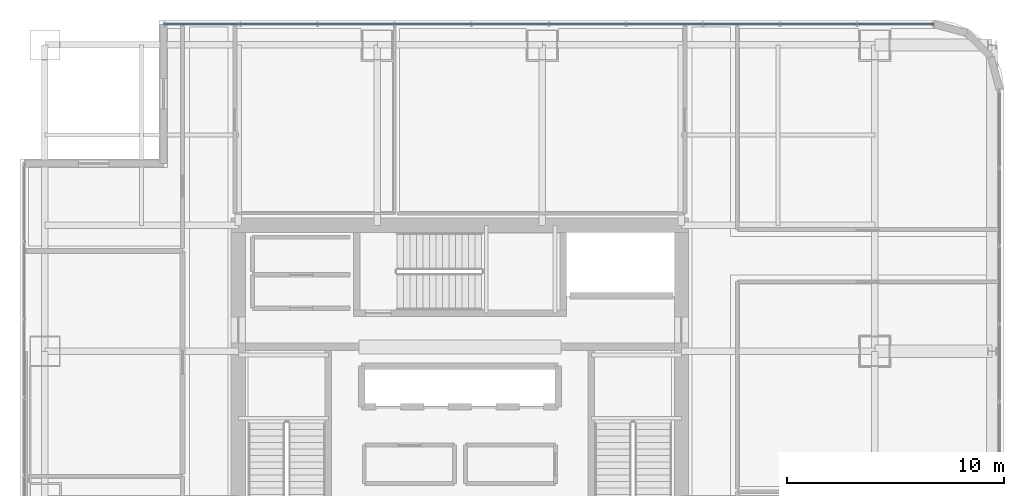
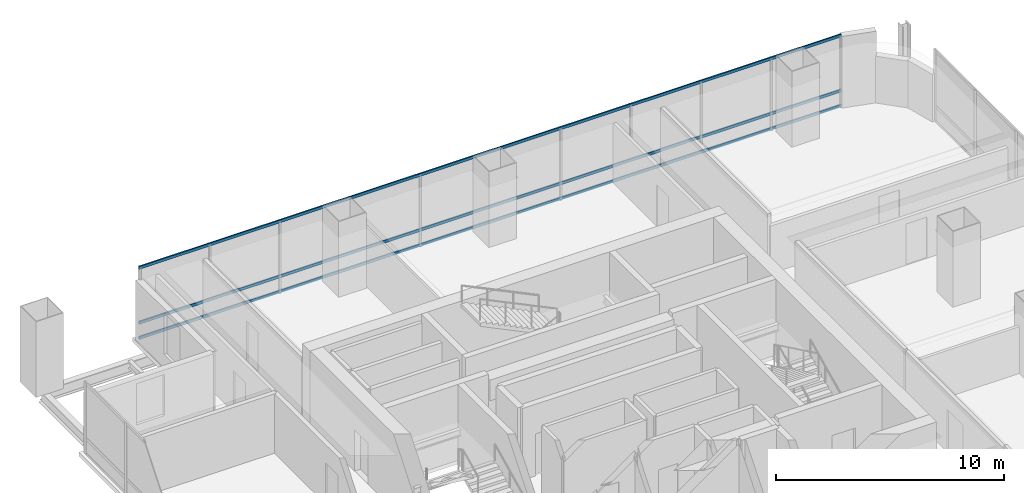
# One storey, part 24 of 37: 3 members, 1 element without a shape of its own.
"""IFC4 building model written with IfcOpenShell, lengths in metres."""

from ifc_helpers import new_model, si_unit, direction, frame, origin, origin_2d, place, context, subcontext, project, spatial, hollow_rectangle, extrude, material, material_profile, profile_set, type_object, element, aggregate, save


model = new_model("IFC4")

# Units and contexts
model_context = context("Model", 3, precision=1e-05, world=origin(), true_north=direction((0.0, 1.0)))
body_context = subcontext(model_context, "Body", "Model", "MODEL_VIEW")
ifc_project = project(units=[si_unit("LENGTHUNIT", "METRE"), si_unit("AREAUNIT", "SQUARE_METRE"), si_unit("VOLUMEUNIT", "CUBIC_METRE"), si_unit("PLANEANGLEUNIT", "RADIAN"), si_unit("MASSUNIT", "GRAM", prefix="KILO")], contexts=[model_context])

# Site, building, storey
site_placement = place(None, origin())
site = spatial("IfcSite", under=ifc_project, at=site_placement, CompositionType="ELEMENT")
building_placement = place(site_placement, origin())
building = spatial("IfcBuilding", under=site, at=building_placement, Name="Punatoya Terracotta Tower", CompositionType="ELEMENT")
storey_placement = place(building_placement, frame((0.0, 0.0, 224.85009765625)))
storey = spatial("IfcBuildingStorey", under=building, at=storey_placement, Name="L53", CompositionType="ELEMENT", Elevation=224.85009765625)

# Curtain wall, members
ifc_material_1 = material(Name="Aluminium 6063-T6 + Double Low-E Glass", Category="aluminium")
curtain_wall_type = type_object("IfcCurtainWallType", Name="CW-M2", PredefinedType="NOTDEFINED", material=ifc_material_1)
curtain_wall_placement = place(storey_placement, origin())
curtain_wall = element("IfcCurtainWall", 1, at=curtain_wall_placement, inside=storey, type_object=curtain_wall_type, Name="L53 Curtain Wall CW-L53-N08-1", PredefinedType="NOTDEFINED")
ifc_material_2 = material(Name="Aluminium 6063-T6", Category="aluminium")
ifc_material_profile = material_profile(ifc_material_2, hollow_rectangle(XDim=0.068115234375, YDim=0.14990234375, WallThickness=0.00390625, at=origin_2d()))
ifc_profile_set = profile_set([ifc_material_profile], Name="Aluminium 6063-T6")
member_type = type_object("IfcMemberType", Name="CW-TRN-TYP", PredefinedType="USERDEFINED", material=ifc_profile_set)
member_1_placement = place(storey_placement, frame((21.8369140625, 18.449951171875, 0.039794921875), z_axis=(-1.0, 0.0, 0.0), x_axis=(0.0, -1.0, 0.0)))
member_1 = element("IfcMember", 2, at=member_1_placement, type_object=member_type, Name="CW-L53-N08-1 Transom 1", ObjectType="TRANSOM", PredefinedType="USERDEFINED", context=body_context, shape_type="SweptSolid", body=[
    extrude(hollow_rectangle(XDim=0.068115234375, YDim=0.14990234375, WallThickness=0.00390625, at=origin_2d()), origin(), (0.0, 0.0, 1.0), 35.48681640625),
])
member_2_placement = place(storey_placement, frame((21.8369140625, 18.449951171875, 0.849853515625), z_axis=(-1.0, 0.0, 0.0), x_axis=(0.0, -1.0, 0.0)))
member_2 = element("IfcMember", 3, at=member_2_placement, type_object=member_type, Name="CW-L53-N08-1 Transom 2", ObjectType="TRANSOM", PredefinedType="USERDEFINED", context=body_context, shape_type="SweptSolid", body=[
    extrude(hollow_rectangle(XDim=0.068115234375, YDim=0.14990234375, WallThickness=0.00390625, at=origin_2d()), origin(), (0.0, 0.0, 1.0), 35.48681640625),
])
member_3_placement = place(storey_placement, frame((21.8369140625, 18.449951171875, 3.789794921875), z_axis=(-1.0, 0.0, 0.0), x_axis=(0.0, -1.0, 0.0)))
member_3 = element("IfcMember", 4, at=member_3_placement, type_object=member_type, Name="CW-L53-N08-1 Transom 3", ObjectType="TRANSOM", PredefinedType="USERDEFINED", context=body_context, shape_type="SweptSolid", body=[
    extrude(hollow_rectangle(XDim=0.068115234375, YDim=0.14990234375, WallThickness=0.00390625, at=origin_2d()), origin(), (0.0, 0.0, 1.0), 35.48681640625),
])
aggregate(curtain_wall, [member_1, member_2, member_3])

save(model, "model.ifc")
